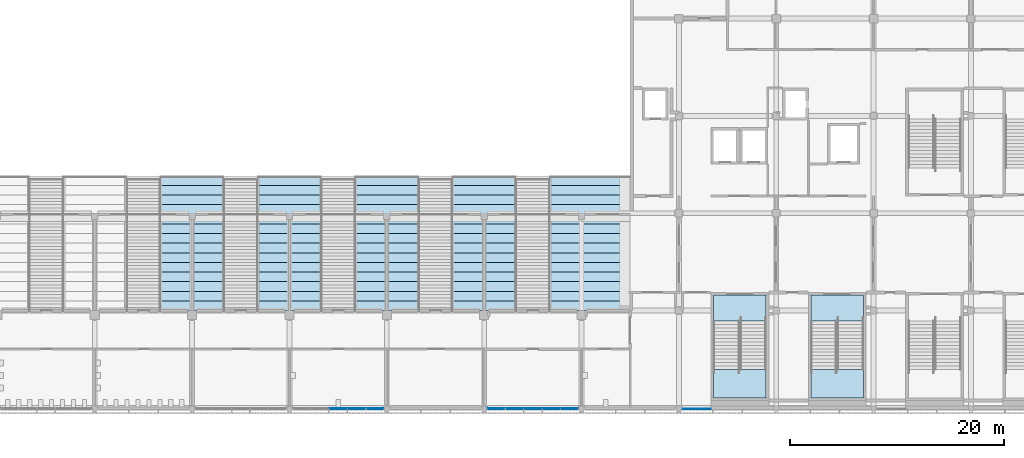
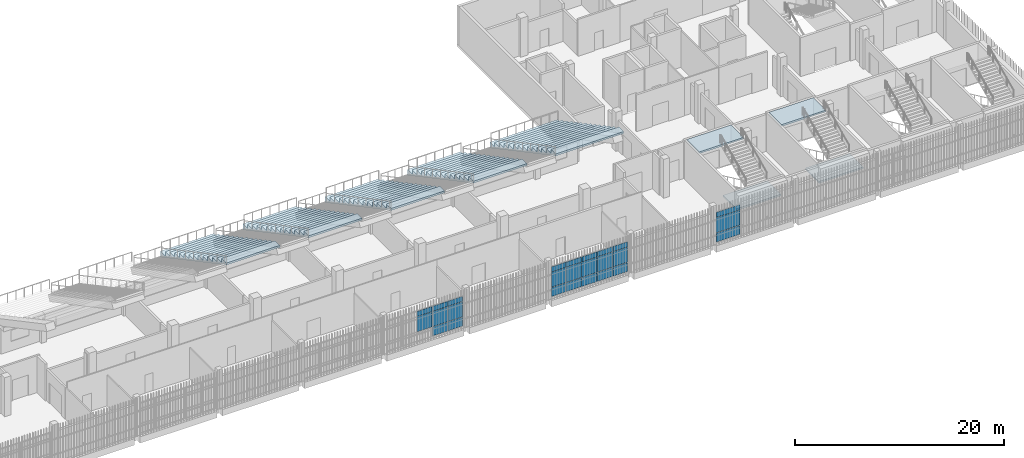
# One storey, part 65 of 139: 26 plates, 9 slabs, 5 elements without a shape of their own.
"""IFC4 building model written with IfcOpenShell, lengths in metres."""

from ifc_helpers import new_model, si_unit, direction, frame, origin, origin_2d, place, context, subcontext, project, spatial, polyline, rectangle, outline, extrude, material, layer, layer_set, type_object, element, aggregate, save


model = new_model("IFC4")

# Units and contexts
model_context = context("Model", 3, precision=1e-05, world=origin(), true_north=direction((0.0, 1.0)))
body_context = subcontext(model_context, "Body", "Model", "MODEL_VIEW")
ifc_project = project(units=[si_unit("LENGTHUNIT", "METRE"), si_unit("AREAUNIT", "SQUARE_METRE"), si_unit("VOLUMEUNIT", "CUBIC_METRE"), si_unit("PLANEANGLEUNIT", "RADIAN"), si_unit("MASSUNIT", "GRAM", prefix="KILO")], contexts=[model_context])

# Site, building, storey
site_placement = place(None, origin())
site = spatial("IfcSite", under=ifc_project, at=site_placement, CompositionType="ELEMENT")
building_placement = place(site_placement, origin())
building = spatial("IfcBuilding", under=site, at=building_placement, Name="Shirokan Park Arena", CompositionType="ELEMENT")
storey_placement = place(building_placement, frame((0.0, 0.0, 15.469970703125)))
storey = spatial("IfcBuildingStorey", under=building, at=storey_placement, Name="L03", CompositionType="ELEMENT", Elevation=15.469970703125)

# Curtain wall, plates
ifc_material_1 = material(Name="Steel and glass curtain wall", Category="steel")
ifc_layer_1 = layer(ifc_material_1, 0.14990234375)
ifc_layer_set_1 = layer_set([ifc_layer_1], Name="Steel and glass curtain wall 150 mm")
curtain_wall_type_1 = type_object("IfcCurtainWallType", Name="Curtain wall exposed bay 150", PredefinedType="NOTDEFINED", material=ifc_layer_set_1)
curtain_wall_1_placement = place(storey_placement, origin())
curtain_wall_1 = element("IfcCurtainWall", 1, at=curtain_wall_1_placement, inside=storey, type_object=curtain_wall_type_1, Name="Curtain wall south bay 9 L03", PredefinedType="NOTDEFINED")
ifc_material_2 = material(Name="Aluminium sheet", Category="aluminium")
ifc_layer_2 = layer(ifc_material_2, 0.0029296875, Name="Aluminium sheet")
ifc_material_3 = material(Name="Mineral wool insulation")
ifc_layer_3 = layer(ifc_material_3, 0.053955078125, Name="Mineral wool insulation")
ifc_layer_4 = layer(ifc_material_2, 0.0029296875, Name="Aluminium sheet")
ifc_layer_set_2 = layer_set([ifc_layer_2, ifc_layer_3, ifc_layer_4], Name="Aluminium sheet + Mineral wool insulation")
plate_type_1 = type_object("IfcPlateType", Name="Insulated spandrel panel 60", PredefinedType="CURTAIN_PANEL", material=ifc_layer_set_2)
plate_1_placement = place(storey_placement, frame((77.35009765625, -0.074951171875, 2.919921875), z_axis=(0.0, 0.0, 1.0), x_axis=(1.0, 0.0, 0.0)))
plate_1 = element("IfcPlate", 2, at=plate_1_placement, type_object=plate_type_1, Name="CW1 panel 3.3", PredefinedType="CURTAIN_PANEL", context=body_context, shape_type="SweptSolid", body=[
    extrude(rectangle(XDim=1.669921875, YDim=0.06005859375, at=origin_2d()), origin(), (0.0, 0.0, 1.0), 0.590087890625),
])
plate_2_placement = place(storey_placement, frame((79.070068359375, -0.074951171875, 2.919921875), z_axis=(0.0, 0.0, 1.0), x_axis=(1.0, 0.0, 0.0)))
plate_2 = element("IfcPlate", 3, at=plate_2_placement, type_object=plate_type_1, Name="CW1 panel 4.3", PredefinedType="CURTAIN_PANEL", context=body_context, shape_type="SweptSolid", body=[
    extrude(rectangle(XDim=1.669921875, YDim=0.06005859375, at=origin_2d()), origin(), (0.0, 0.0, 1.0), 0.590087890625),
])
plate_3_placement = place(storey_placement, frame((80.75244140625, -0.074951171875, 2.919921875), z_axis=(0.0, 0.0, 1.0), x_axis=(1.0, 0.0, 0.0)))
plate_3 = element("IfcPlate", 4, at=plate_3_placement, type_object=plate_type_1, Name="CW1 panel 5.3", PredefinedType="CURTAIN_PANEL", context=body_context, shape_type="SweptSolid", body=[
    extrude(rectangle(XDim=1.594970703125, YDim=0.06005859375, at=origin_2d()), origin(), (0.0, 0.0, 1.0), 0.590087890625),
])

curtain_wall_2_placement = place(storey_placement, origin())
curtain_wall_2 = element("IfcCurtainWall", 5, at=curtain_wall_2_placement, inside=storey, type_object=curtain_wall_type_1, Name="Curtain wall south bay 11 L03", PredefinedType="NOTDEFINED")
plate_4_placement = place(storey_placement, frame((92.1474609375, -0.074951171875, 2.919921875), z_axis=(0.0, 0.0, 1.0), x_axis=(1.0, 0.0, 0.0)))
plate_4 = element("IfcPlate", 6, at=plate_4_placement, type_object=plate_type_1, Name="CW1 panel 1.3", PredefinedType="CURTAIN_PANEL", context=body_context, shape_type="SweptSolid", body=[
    extrude(rectangle(XDim=1.594970703125, YDim=0.06005859375, at=origin_2d()), origin(), (0.0, 0.0, 1.0), 0.590087890625),
])
plate_5_placement = place(storey_placement, frame((93.830078125, -0.074951171875, 2.919921875), z_axis=(0.0, 0.0, 1.0), x_axis=(1.0, 0.0, 0.0)))
plate_5 = element("IfcPlate", 7, at=plate_5_placement, type_object=plate_type_1, Name="CW1 panel 2.3", PredefinedType="CURTAIN_PANEL", context=body_context, shape_type="SweptSolid", body=[
    extrude(rectangle(XDim=1.669921875, YDim=0.06005859375, at=origin_2d()), origin(), (0.0, 0.0, 1.0), 0.590087890625),
])
plate_6_placement = place(storey_placement, frame((95.550048828125, -0.074951171875, 2.919921875), z_axis=(0.0, 0.0, 1.0), x_axis=(1.0, 0.0, 0.0)))
plate_6 = element("IfcPlate", 8, at=plate_6_placement, type_object=plate_type_1, Name="CW1 panel 3.3", PredefinedType="CURTAIN_PANEL", context=body_context, shape_type="SweptSolid", body=[
    extrude(rectangle(XDim=1.669921875, YDim=0.06005859375, at=origin_2d()), origin(), (0.0, 0.0, 1.0), 0.590087890625),
])
plate_7_placement = place(storey_placement, frame((97.27001953125, -0.074951171875, 2.919921875), z_axis=(0.0, 0.0, 1.0), x_axis=(1.0, 0.0, 0.0)))
plate_7 = element("IfcPlate", 9, at=plate_7_placement, type_object=plate_type_1, Name="CW1 panel 4.3", PredefinedType="CURTAIN_PANEL", context=body_context, shape_type="SweptSolid", body=[
    extrude(rectangle(XDim=1.669921875, YDim=0.06005859375, at=origin_2d()), origin(), (0.0, 0.0, 1.0), 0.590087890625),
])
plate_8_placement = place(storey_placement, frame((98.952392578125, -0.074951171875, 2.919921875), z_axis=(0.0, 0.0, 1.0), x_axis=(1.0, 0.0, 0.0)))
plate_8 = element("IfcPlate", 10, at=plate_8_placement, type_object=plate_type_1, Name="CW1 panel 5.3", PredefinedType="CURTAIN_PANEL", context=body_context, shape_type="SweptSolid", body=[
    extrude(rectangle(XDim=1.594970703125, YDim=0.06005859375, at=origin_2d()), origin(), (0.0, 0.0, 1.0), 0.590087890625),
])

# Curtain wall, plate
ifc_layer_5 = layer(ifc_material_1, 0.1201171875)
ifc_layer_set_3 = layer_set([ifc_layer_5], Name="Steel and glass curtain wall 120 mm")
curtain_wall_type_2 = type_object("IfcCurtainWallType", Name="Curtain wall corner block side bay 120", PredefinedType="NOTDEFINED", material=ifc_layer_set_3)
curtain_wall_3_placement = place(storey_placement, origin())
curtain_wall_3 = element("IfcCurtainWall", 11, at=curtain_wall_3_placement, inside=storey, type_object=curtain_wall_type_2, Name="Curtain wall south bay 13 L03", PredefinedType="NOTDEFINED")
plate_9_placement = place(storey_placement, frame((110.887451171875, -0.090087890625, 2.919921875), z_axis=(0.0, 0.0, 1.0), x_axis=(1.0, 0.0, 0.0)))
plate_9 = element("IfcPlate", 12, at=plate_9_placement, type_object=plate_type_1, Name="CW3 panel 1.3", PredefinedType="CURTAIN_PANEL", context=body_context, shape_type="SweptSolid", body=[
    extrude(rectangle(XDim=2.625, YDim=0.06005859375, at=origin_2d()), origin(), (0.0, 0.0, 1.0), 0.590087890625),
])

# Plate
ifc_material_4 = material(Name="Toughened glass", Category="glass")
ifc_layer_6 = layer(ifc_material_4, 0.012939453125, Name="Toughened glass")
ifc_material_5 = material(Name="Interlayer film")
ifc_layer_7 = layer(ifc_material_5, 0.001953125, Name="Interlayer film")
ifc_layer_8 = layer(ifc_material_4, 0.012939453125, Name="Toughened glass")
ifc_layer_set_4 = layer_set([ifc_layer_6, ifc_layer_7, ifc_layer_8], Name="Toughened glass + Interlayer film")
plate_type_2 = type_object("IfcPlateType", Name="Laminated glass panel 28", PredefinedType="CURTAIN_PANEL", material=ifc_layer_set_4)
plate_10_placement = place(storey_placement, frame((77.35009765625, -0.074951171875, 1.1201171875), z_axis=(0.0, 0.0, 1.0), x_axis=(1.0, 0.0, 0.0)))
plate_10 = element("IfcPlate", 13, at=plate_10_placement, type_object=plate_type_2, Name="CW1 panel 3.2", PredefinedType="CURTAIN_PANEL", context=body_context, shape_type="SweptSolid", body=[
    extrude(rectangle(XDim=1.669921875, YDim=0.028076171875, at=origin_2d()), origin(), (0.0, 0.0, 1.0), 1.760009765625),
])

plate_11_placement = place(storey_placement, frame((79.070068359375, -0.074951171875, 1.1201171875), z_axis=(0.0, 0.0, 1.0), x_axis=(1.0, 0.0, 0.0)))
plate_11 = element("IfcPlate", 14, at=plate_11_placement, type_object=plate_type_2, Name="CW1 panel 4.2", PredefinedType="CURTAIN_PANEL", context=body_context, shape_type="SweptSolid", body=[
    extrude(rectangle(XDim=1.669921875, YDim=0.028076171875, at=origin_2d()), origin(), (0.0, 0.0, 1.0), 1.760009765625),
])

plate_12_placement = place(storey_placement, frame((80.75244140625, -0.074951171875, 1.1201171875), z_axis=(0.0, 0.0, 1.0), x_axis=(1.0, 0.0, 0.0)))
plate_12 = element("IfcPlate", 15, at=plate_12_placement, type_object=plate_type_2, Name="CW1 panel 5.2", PredefinedType="CURTAIN_PANEL", context=body_context, shape_type="SweptSolid", body=[
    extrude(rectangle(XDim=1.594970703125, YDim=0.028076171875, at=origin_2d()), origin(), (0.0, 0.0, 1.0), 1.760009765625),
])

plate_13_placement = place(storey_placement, frame((92.1474609375, -0.074951171875, 1.1201171875), z_axis=(0.0, 0.0, 1.0), x_axis=(1.0, 0.0, 0.0)))
plate_13 = element("IfcPlate", 16, at=plate_13_placement, type_object=plate_type_2, Name="CW1 panel 1.2", PredefinedType="CURTAIN_PANEL", context=body_context, shape_type="SweptSolid", body=[
    extrude(rectangle(XDim=1.594970703125, YDim=0.028076171875, at=origin_2d()), origin(), (0.0, 0.0, 1.0), 1.760009765625),
])

plate_14_placement = place(storey_placement, frame((93.830078125, -0.074951171875, 1.1201171875), z_axis=(0.0, 0.0, 1.0), x_axis=(1.0, 0.0, 0.0)))
plate_14 = element("IfcPlate", 17, at=plate_14_placement, type_object=plate_type_2, Name="CW1 panel 2.2", PredefinedType="CURTAIN_PANEL", context=body_context, shape_type="SweptSolid", body=[
    extrude(rectangle(XDim=1.669921875, YDim=0.028076171875, at=origin_2d()), origin(), (0.0, 0.0, 1.0), 1.760009765625),
])

plate_15_placement = place(storey_placement, frame((95.550048828125, -0.074951171875, 1.1201171875), z_axis=(0.0, 0.0, 1.0), x_axis=(1.0, 0.0, 0.0)))
plate_15 = element("IfcPlate", 18, at=plate_15_placement, type_object=plate_type_2, Name="CW1 panel 3.2", PredefinedType="CURTAIN_PANEL", context=body_context, shape_type="SweptSolid", body=[
    extrude(rectangle(XDim=1.669921875, YDim=0.028076171875, at=origin_2d()), origin(), (0.0, 0.0, 1.0), 1.760009765625),
])

plate_16_placement = place(storey_placement, frame((97.27001953125, -0.074951171875, 1.1201171875), z_axis=(0.0, 0.0, 1.0), x_axis=(1.0, 0.0, 0.0)))
plate_16 = element("IfcPlate", 19, at=plate_16_placement, type_object=plate_type_2, Name="CW1 panel 4.2", PredefinedType="CURTAIN_PANEL", context=body_context, shape_type="SweptSolid", body=[
    extrude(rectangle(XDim=1.669921875, YDim=0.028076171875, at=origin_2d()), origin(), (0.0, 0.0, 1.0), 1.760009765625),
])

plate_17_placement = place(storey_placement, frame((98.952392578125, -0.074951171875, 1.1201171875), z_axis=(0.0, 0.0, 1.0), x_axis=(1.0, 0.0, 0.0)))
plate_17 = element("IfcPlate", 20, at=plate_17_placement, type_object=plate_type_2, Name="CW1 panel 5.2", PredefinedType="CURTAIN_PANEL", context=body_context, shape_type="SweptSolid", body=[
    extrude(rectangle(XDim=1.594970703125, YDim=0.028076171875, at=origin_2d()), origin(), (0.0, 0.0, 1.0), 1.760009765625),
])

plate_18_placement = place(storey_placement, frame((110.887451171875, -0.090087890625, 1.1201171875), z_axis=(0.0, 0.0, 1.0), x_axis=(1.0, 0.0, 0.0)))
plate_18 = element("IfcPlate", 21, at=plate_18_placement, type_object=plate_type_2, Name="CW3 panel 1.2", PredefinedType="CURTAIN_PANEL", context=body_context, shape_type="SweptSolid", body=[
    extrude(rectangle(XDim=2.625, YDim=0.028076171875, at=origin_2d()), origin(), (0.0, 0.0, 1.0), 1.760009765625),
])

ifc_layer_9 = layer(ifc_material_4, 0.01708984375, Name="Toughened glass")
ifc_layer_10 = layer(ifc_material_5, 0.001953125, Name="Interlayer film")
ifc_layer_11 = layer(ifc_material_4, 0.01708984375, Name="Toughened glass")
ifc_layer_set_5 = layer_set([ifc_layer_9, ifc_layer_10, ifc_layer_11], Name="Toughened glass + Interlayer film")
plate_type_3 = type_object("IfcPlateType", Name="Laminated safety glass panel 36", PredefinedType="CURTAIN_PANEL", material=ifc_layer_set_5)
plate_19_placement = place(storey_placement, frame((79.070068359375, -0.074951171875, 0.0400390625), z_axis=(0.0, 0.0, 1.0), x_axis=(1.0, 0.0, 0.0)))
plate_19 = element("IfcPlate", 22, at=plate_19_placement, type_object=plate_type_3, Name="CW1 panel 4.1", PredefinedType="CURTAIN_PANEL", context=body_context, shape_type="SweptSolid", body=[
    extrude(rectangle(XDim=1.669921875, YDim=0.035888671875, at=origin_2d()), origin(), (0.0, 0.0, 1.0), 1.0400390625),
])

plate_20_placement = place(storey_placement, frame((80.75244140625, -0.074951171875, 0.0400390625), z_axis=(0.0, 0.0, 1.0), x_axis=(1.0, 0.0, 0.0)))
plate_20 = element("IfcPlate", 23, at=plate_20_placement, type_object=plate_type_3, Name="CW1 panel 5.1", PredefinedType="CURTAIN_PANEL", context=body_context, shape_type="SweptSolid", body=[
    extrude(rectangle(XDim=1.594970703125, YDim=0.035888671875, at=origin_2d()), origin(), (0.0, 0.0, 1.0), 1.0400390625),
])

aggregate(curtain_wall_1, [plate_10, plate_1, plate_19, plate_11, plate_2, plate_20, plate_12, plate_3])

plate_21_placement = place(storey_placement, frame((92.1474609375, -0.074951171875, 0.0400390625), z_axis=(0.0, 0.0, 1.0), x_axis=(1.0, 0.0, 0.0)))
plate_21 = element("IfcPlate", 24, at=plate_21_placement, type_object=plate_type_3, Name="CW1 panel 1.1", PredefinedType="CURTAIN_PANEL", context=body_context, shape_type="SweptSolid", body=[
    extrude(rectangle(XDim=1.594970703125, YDim=0.035888671875, at=origin_2d()), origin(), (0.0, 0.0, 1.0), 1.0400390625),
])

plate_22_placement = place(storey_placement, frame((93.830078125, -0.074951171875, 0.0400390625), z_axis=(0.0, 0.0, 1.0), x_axis=(1.0, 0.0, 0.0)))
plate_22 = element("IfcPlate", 25, at=plate_22_placement, type_object=plate_type_3, Name="CW1 panel 2.1", PredefinedType="CURTAIN_PANEL", context=body_context, shape_type="SweptSolid", body=[
    extrude(rectangle(XDim=1.669921875, YDim=0.035888671875, at=origin_2d()), origin(), (0.0, 0.0, 1.0), 1.0400390625),
])

plate_23_placement = place(storey_placement, frame((95.550048828125, -0.074951171875, 0.0400390625), z_axis=(0.0, 0.0, 1.0), x_axis=(1.0, 0.0, 0.0)))
plate_23 = element("IfcPlate", 26, at=plate_23_placement, type_object=plate_type_3, Name="CW1 panel 3.1", PredefinedType="CURTAIN_PANEL", context=body_context, shape_type="SweptSolid", body=[
    extrude(rectangle(XDim=1.669921875, YDim=0.035888671875, at=origin_2d()), origin(), (0.0, 0.0, 1.0), 1.0400390625),
])

plate_24_placement = place(storey_placement, frame((97.27001953125, -0.074951171875, 0.0400390625), z_axis=(0.0, 0.0, 1.0), x_axis=(1.0, 0.0, 0.0)))
plate_24 = element("IfcPlate", 27, at=plate_24_placement, type_object=plate_type_3, Name="CW1 panel 4.1", PredefinedType="CURTAIN_PANEL", context=body_context, shape_type="SweptSolid", body=[
    extrude(rectangle(XDim=1.669921875, YDim=0.035888671875, at=origin_2d()), origin(), (0.0, 0.0, 1.0), 1.0400390625),
])

plate_25_placement = place(storey_placement, frame((98.952392578125, -0.074951171875, 0.0400390625), z_axis=(0.0, 0.0, 1.0), x_axis=(1.0, 0.0, 0.0)))
plate_25 = element("IfcPlate", 28, at=plate_25_placement, type_object=plate_type_3, Name="CW1 panel 5.1", PredefinedType="CURTAIN_PANEL", context=body_context, shape_type="SweptSolid", body=[
    extrude(rectangle(XDim=1.594970703125, YDim=0.035888671875, at=origin_2d()), origin(), (0.0, 0.0, 1.0), 1.0400390625),
])

aggregate(curtain_wall_2, [plate_21, plate_13, plate_4, plate_22, plate_14, plate_5, plate_23, plate_15, plate_6, plate_24, plate_16, plate_7, plate_25, plate_17, plate_8])

plate_26_placement = place(storey_placement, frame((110.887451171875, -0.090087890625, 0.0400390625), z_axis=(0.0, 0.0, 1.0), x_axis=(1.0, 0.0, 0.0)))
plate_26 = element("IfcPlate", 29, at=plate_26_placement, type_object=plate_type_3, Name="CW3 panel 1.1", PredefinedType="CURTAIN_PANEL", context=body_context, shape_type="SweptSolid", body=[
    extrude(rectangle(XDim=2.625, YDim=0.035888671875, at=origin_2d()), origin(), (0.0, 0.0, 1.0), 1.0400390625),
])

aggregate(curtain_wall_3, [plate_26, plate_18, plate_9])

# Slabs
ifc_material_6 = material(Name="Concrete C35", Category="concrete")
ifc_layer_12 = layer(ifc_material_6, 0.199951171875)
ifc_layer_set_6 = layer_set([ifc_layer_12], Name="Concrete C35 200 mm")
slab_type_1 = type_object("IfcSlabType", Name="RC seating tier upper 200", PredefinedType="USERDEFINED", material=ifc_layer_set_6)
for number, where, z_axis, x_axis, name in (
    (30, (63.699951171875, 21.699951171875, 2.860107421875), (0.0, 0.0, 1.0), (0.0, -1.0, 0.0), "Stand upper S 3"),
    (31, (72.800048828125, 21.699951171875, 2.860107421875), (0.0, 0.0, 1.0), (0.0, -1.0, 0.0), "Stand upper S 4"),
    (32, (81.89990234375, 21.699951171875, 2.860107421875), (0.0, 0.0, 1.0), (0.0, -1.0, 0.0), "Stand upper S 5"),
    (33, (91.0, 21.699951171875, 2.860107421875), (0.0, 0.0, 1.0), (0.0, -1.0, 0.0), "Stand upper S 6"),
):
    element("IfcSlab", number, at=place(storey_placement, frame(where, z_axis=z_axis, x_axis=x_axis)), inside=storey, type_object=slab_type_1, Name=name, ObjectType="SEATING TIER", PredefinedType="USERDEFINED", context=body_context, shape_type="SweptSolid", body=[
        extrude(outline(polyline([(0.0, 0.0), (0.89990234375, 0.0), (0.89990234375, 0.47998046875), (1.800048828125, 0.47998046875), (1.800048828125, 0.9599609375), (2.699951171875, 0.9599609375), (2.699951171875, 1.43994140625), (3.60009765625, 1.43994140625), (3.60009765625, 1.919921875), (4.5, 1.919921875), (4.5, 2.39990234375), (5.39990234375, 2.39990234375), (5.39990234375, 2.8798828125), (6.300048828125, 2.8798828125), (6.300048828125, 3.360107421875), (7.199951171875, 3.360107421875), (7.199951171875, 3.840087890625), (8.10009765625, 3.840087890625), (8.10009765625, 4.320068359375), (9.0, 4.320068359375), (9.0, 4.800048828125), (9.89990234375, 4.800048828125), (9.89990234375, 5.280029296875), (10.800048828125, 5.280029296875), (10.800048828125, 5.760009765625), (11.699951171875, 5.760009765625), (11.699951171875, 6.239990234375), (12.60009765625, 6.239990234375), (12.60009765625, 6.013427734375), (0.0, -0.706787109375), (0.0, 0.0)])), frame((0.0, 2.949951171875, 0.0), z_axis=(0.0, -1.0, 0.0), x_axis=(1.0, 0.0, 0.0)), (0.0, 0.0, 1.0), 5.89990234375),
    ])
slab_1_placement = place(storey_placement, frame((100.89990234375, 21.699951171875, 2.860107421875), z_axis=(0.0, 0.0, 1.0), x_axis=(0.0, -1.0, 0.0)))
element("IfcSlab", 34, at=slab_1_placement, inside=storey, type_object=slab_type_1, Name="Stand upper S 7", ObjectType="SEATING TIER", PredefinedType="USERDEFINED", context=body_context, shape_type="SweptSolid", body=[
    extrude(outline(polyline([(0.0, 0.0), (0.89990234375, 0.0), (0.89990234375, 0.47998046875), (1.800048828125, 0.47998046875), (1.800048828125, 0.9599609375), (2.699951171875, 0.9599609375), (2.699951171875, 1.43994140625), (3.60009765625, 1.43994140625), (3.60009765625, 1.919921875), (4.5, 1.919921875), (4.5, 2.39990234375), (5.39990234375, 2.39990234375), (5.39990234375, 2.8798828125), (6.300048828125, 2.8798828125), (6.300048828125, 3.360107421875), (7.199951171875, 3.360107421875), (7.199951171875, 3.840087890625), (8.10009765625, 3.840087890625), (8.10009765625, 4.320068359375), (9.0, 4.320068359375), (9.0, 4.800048828125), (9.89990234375, 4.800048828125), (9.89990234375, 5.280029296875), (10.800048828125, 5.280029296875), (10.800048828125, 5.760009765625), (11.699951171875, 5.760009765625), (11.699951171875, 6.239990234375), (12.60009765625, 6.239990234375), (12.60009765625, 6.013427734375), (0.0, -0.706787109375), (0.0, 0.0)])), frame((0.0, 3.75, 0.0), z_axis=(0.0, -1.0, 0.0), x_axis=(1.0, 0.0, 0.0)), (0.0, 0.0, 1.0), 7.5),
])

# Stair, slabs
ifc_material_7 = material(Name="Concrete C30 precast", Category="concrete")
stair_type = type_object("IfcStairType", Name="Stair 30 risers 152 x 327 2400 wide", PredefinedType="TWO_STRAIGHT_RUN_STAIR", material=ifc_material_7)
stair_1_placement = place(storey_placement, origin())
stair_1 = element("IfcStair", 35, at=stair_1_placement, inside=storey, type_object=stair_type, Name="Exit Stair 2.C L03 to L04", PredefinedType="TWO_STRAIGHT_RUN_STAIR")
ifc_layer_13 = layer(ifc_material_7, 0.199951171875)
ifc_layer_set_7 = layer_set([ifc_layer_13], Name="Concrete C30 precast 200 mm")
slab_type_2 = type_object("IfcSlabType", Name="Stair landing 200", PredefinedType="LANDING", material=ifc_layer_set_7)
slab_2_placement = place(storey_placement, frame((0.0, 0.0, 2.074951171875)))
slab_2 = element("IfcSlab", 36, at=slab_2_placement, type_object=slab_type_2, Name="ST06.4 landing 1", PredefinedType="LANDING", context=body_context, shape_type="SweptSolid", body=[
    extrude(outline(polyline([(121.550048828125, 0.949951171875), (126.449951171875, 0.949951171875), (126.449951171875, 3.576171875), (121.550048828125, 3.576171875), (121.550048828125, 0.949951171875)])), origin(), (0.0, 0.0, 1.0), 0.2001953125),
])
slab_3_placement = place(storey_placement, frame((0.0, 0.0, 4.35009765625)))
slab_3 = element("IfcSlab", 37, at=slab_3_placement, type_object=slab_type_2, Name="ST06.4 landing 2", PredefinedType="LANDING", context=body_context, shape_type="SweptSolid", body=[
    extrude(outline(polyline([(121.550048828125, 8.14990234375), (126.449951171875, 8.14990234375), (126.449951171875, 10.550048828125), (121.550048828125, 10.550048828125), (121.550048828125, 8.14990234375)])), origin(), (0.0, 0.0, 1.0), 0.199951171875),
])
aggregate(stair_1, [slab_2, slab_3])

stair_2_placement = place(storey_placement, origin())
stair_2 = element("IfcStair", 38, at=stair_2_placement, inside=storey, type_object=stair_type, Name="Exit Stair 2.D L03 to L04", PredefinedType="TWO_STRAIGHT_RUN_STAIR")
slab_4_placement = place(storey_placement, frame((0.0, 0.0, 2.074951171875)))
slab_4 = element("IfcSlab", 39, at=slab_4_placement, type_object=slab_type_2, Name="ST07.4 landing 1", PredefinedType="LANDING", context=body_context, shape_type="SweptSolid", body=[
    extrude(outline(polyline([(112.449951171875, 0.949951171875), (117.35009765625, 0.949951171875), (117.35009765625, 3.576171875), (112.449951171875, 3.576171875), (112.449951171875, 0.949951171875)])), origin(), (0.0, 0.0, 1.0), 0.2001953125),
])
slab_5_placement = place(storey_placement, frame((0.0, 0.0, 4.35009765625)))
slab_5 = element("IfcSlab", 40, at=slab_5_placement, type_object=slab_type_2, Name="ST07.4 landing 2", PredefinedType="LANDING", context=body_context, shape_type="SweptSolid", body=[
    extrude(outline(polyline([(112.449951171875, 8.14990234375), (117.35009765625, 8.14990234375), (117.35009765625, 10.550048828125), (112.449951171875, 10.550048828125), (112.449951171875, 8.14990234375)])), origin(), (0.0, 0.0, 1.0), 0.199951171875),
])
aggregate(stair_2, [slab_4, slab_5])

save(model, "model.ifc")
